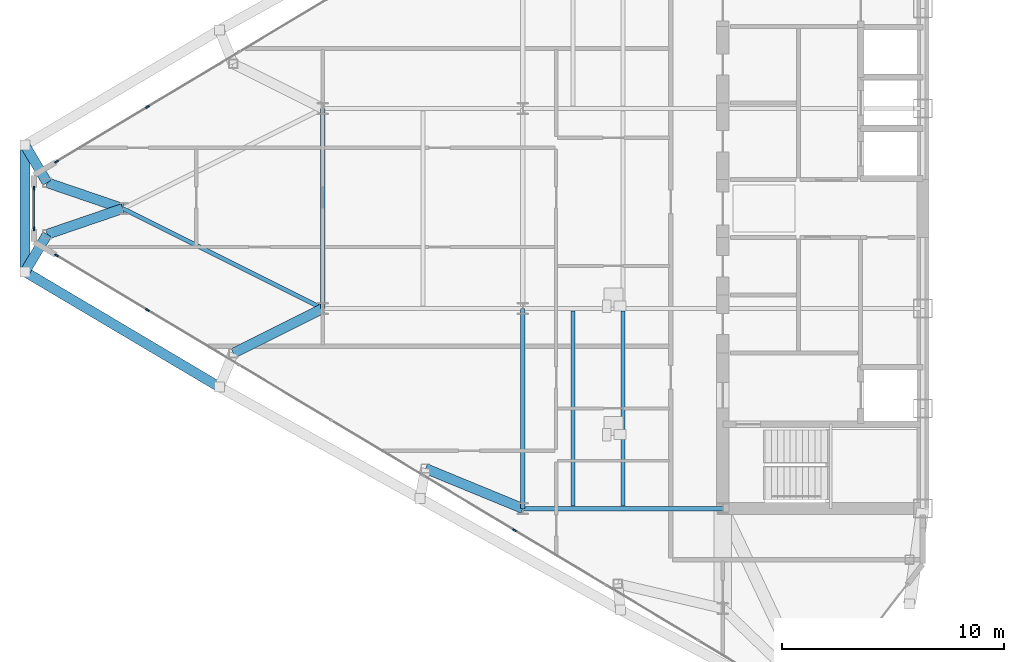
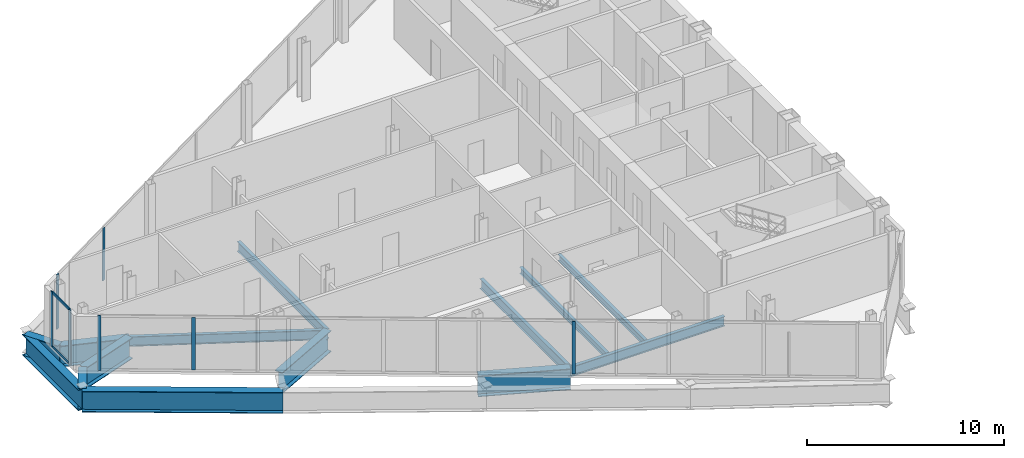
# One storey, part 7 of 29: 14 beams, 9 members, 3 elements without a shape of their own.
"""IFC4 building model written with IfcOpenShell, lengths in metres."""

from ifc_helpers import new_model, si_unit, direction, frame, origin, origin_2d, place, context, subcontext, project, spatial, rectangle, i_section, extrude, source, transform, mapped, material, layer, layer_set, material_profile, profile_set, type_object, type_shapes, element, aggregate, save


model = new_model("IFC4")

# Units and contexts
model_context = context("Model", 3, precision=1e-05, world=origin(), true_north=direction((0.0, 1.0)))
body_context = subcontext(model_context, "Body", "Model", "MODEL_VIEW")
ifc_project = project(units=[si_unit("LENGTHUNIT", "METRE"), si_unit("AREAUNIT", "SQUARE_METRE"), si_unit("VOLUMEUNIT", "CUBIC_METRE"), si_unit("PLANEANGLEUNIT", "RADIAN"), si_unit("MASSUNIT", "GRAM", prefix="KILO")], contexts=[model_context])

# Site, building, storey
site_placement = place(None, origin())
site = spatial("IfcSite", under=ifc_project, at=site_placement, CompositionType="ELEMENT")
building_placement = place(site_placement, origin())
building = spatial("IfcBuilding", under=site, at=building_placement, Name="Seokmaru Belvedere", CompositionType="ELEMENT")
storey_placement = place(building_placement, frame((0.0, 0.0, 195.89990234375)))
storey = spatial("IfcBuildingStorey", under=building, at=storey_placement, Name="L52", CompositionType="ELEMENT", Elevation=195.89990234375)

# Beams
ifc_material_1 = material(Name="Steel SM355 (355 MPa)", Category="steel")
ifc_material_profile_1 = material_profile(ifc_material_1, i_section(OverallWidth=0.199951171875, OverallDepth=0.60009765625, WebThickness=0.010986328125, FlangeThickness=0.01708984375, at=origin_2d()), Name="H-600x200x11x17")
ifc_profile_set_1 = profile_set([ifc_material_profile_1], Name="Steel SM355 (355 MPa)")
beam_type_1 = type_object("IfcBeamType", Name="Primary Floor Girder H-600", PredefinedType="BEAM", material=ifc_profile_set_1)
shared_shape_1 = source(origin(), body_context, "Body", "SweptSolid", [
    extrude(i_section(OverallWidth=0.199951171875, OverallDepth=0.60009765625, WebThickness=0.010986328125, FlangeThickness=0.01708984375, at=origin_2d()), origin(), (0.0, 0.0, 1.0), 9.0),
])
for number, where, z_axis, x_axis, name in (
    (1, (-45.5, -13.5, -0.52001953125), (0.0, 1.0, 0.0), (-1.0, 0.0, 0.0), "L52 W Interior Grid Girder 1"),
    (2, (-45.5, -13.5, -0.52001953125), (1.0, 0.0, 0.0), (0.0, 1.0, 0.0), "L52 W Wing Primary Girder 1"),
    (3, (-54.5, -4.5, -0.52001953125), (0.0, 1.0, 0.0), (-1.0, 0.0, 0.0), "L52 W Apex Frame Girder"),
):
    element("IfcBeam", number, at=place(storey_placement, frame(where, z_axis=z_axis, x_axis=x_axis)), inside=storey, type_object=beam_type_1, Name=name, PredefinedType="BEAM", context=body_context, shape_type="MappedRepresentation", body=[
        mapped(shared_shape_1, transform((0.0, 0.0, 0.0), scale=1.0)),
    ])
shared_shape_2 = source(origin(), body_context, "Body", "SweptSolid", [
    extrude(i_section(OverallWidth=0.199951171875, OverallDepth=0.60009765625, WebThickness=0.010986328125, FlangeThickness=0.01708984375, at=origin_2d()), origin(), (0.0, 0.0, 1.0), 10.062255859375),
])
type_shapes(beam_type_1, [shared_shape_1, shared_shape_2])
beam_1_placement = place(storey_placement, frame((-54.5, -4.5, -0.52001953125), z_axis=(-0.894427191, 0.4472135955, 0.0), x_axis=(-0.4472135955, -0.894427191, 0.0)))
element("IfcBeam", 4, at=beam_1_placement, inside=storey, type_object=beam_type_1, Name="L52 W Apex Converging Girder 1", PredefinedType="BEAM", context=body_context, shape_type="MappedRepresentation", body=[
    mapped(shared_shape_2, transform((0.0, 0.0, 0.0), scale=1.0)),
])
ifc_material_profile_2 = material_profile(ifc_material_1, i_section(OverallWidth=0.18505859375, OverallDepth=0.389892578125, WebThickness=0.008056640625, FlangeThickness=0.011962890625, at=origin_2d()), Name="H-390x185x8x12")
ifc_profile_set_2 = profile_set([ifc_material_profile_2], Name="Steel SM355 (355 MPa)")
beam_type_2 = type_object("IfcBeamType", Name="Secondary Floor Joist H-350", PredefinedType="JOIST", material=ifc_profile_set_2)
shared_shape_3 = source(origin(), body_context, "Body", "SweptSolid", [
    extrude(i_section(OverallWidth=0.18505859375, OverallDepth=0.389892578125, WebThickness=0.008056640625, FlangeThickness=0.011962890625, at=origin_2d()), origin(), (0.0, 0.0, 1.0), 8.7900390625),
])
type_shapes(beam_type_2, [shared_shape_3])
for number, where, z_axis, x_axis, name in (
    (5, (-43.25, -13.39501953125, -0.414794921875), (0.0, 1.0, 0.0), (-1.0, 0.0, 0.0), "L52 W Wing Inner Secondary Joist 1"),
    (6, (-41.0, -13.39501953125, -0.414794921875), (0.0, 1.0, 0.0), (-1.0, 0.0, 0.0), "L52 W Secondary Floor Joist 1"),
):
    element("IfcBeam", number, at=place(storey_placement, frame(where, z_axis=z_axis, x_axis=x_axis)), inside=storey, type_object=beam_type_2, Name=name, PredefinedType="JOIST", context=body_context, shape_type="MappedRepresentation", body=[
        mapped(shared_shape_3, transform((0.0, 0.0, 0.0), scale=1.0)),
    ])
ifc_material_2 = material(Name="Steel HSA650 (650 MPa)", Category="steel")
ifc_material_profile_3 = material_profile(ifc_material_2, i_section(OverallWidth=0.449951171875, OverallDepth=1.300048828125, WebThickness=0.02197265625, FlangeThickness=0.0380859375, at=origin_2d()), Name="BH-1300x450x22x38")
ifc_profile_set_3 = profile_set([ifc_material_profile_3], Name="Steel HSA650 (650 MPa)")
beam_type_3 = type_object("IfcBeamType", Name="Observatory Long-Span Roof Girder BH-1300", PredefinedType="BEAM", material=ifc_profile_set_3)
shared_shape_4 = source(origin(), body_context, "Body", "SweptSolid", [
    extrude(i_section(OverallWidth=0.449951171875, OverallDepth=1.300048828125, WebThickness=0.02197265625, FlangeThickness=0.0380859375, at=origin_2d()), origin(), (0.0, 0.0, 1.0), 10.16650390625),
])
beam_2_placement = place(storey_placement, frame((-59.154541015625, -8.031494140625, -0.869873046875), z_axis=(-0.860209996506, 0.509939959124, 0.0), x_axis=(-0.509939959124, -0.860209996506, 0.0)))
element("IfcBeam", 7, at=beam_2_placement, inside=storey, type_object=beam_type_3, Name="L52 W Faceted Flank Spandrel S-4", PredefinedType="BEAM", context=body_context, shape_type="MappedRepresentation", body=[
    mapped(shared_shape_4, transform((0.0, 0.0, 0.0), scale=1.0)),
])
shared_shape_5 = source(origin(), body_context, "Body", "SweptSolid", [
    extrude(i_section(OverallWidth=0.449951171875, OverallDepth=1.300048828125, WebThickness=0.02197265625, FlangeThickness=0.0380859375, at=origin_2d()), origin(), (0.0, 0.0, 1.0), 5.6943359375),
])
beam_3_placement = place(storey_placement, frame((-67.89990234375, -2.84716796875, -0.869873046875), z_axis=(0.0, 1.0, 0.0), x_axis=(-1.0, 0.0, 0.0)))
element("IfcBeam", 8, at=beam_3_placement, inside=storey, type_object=beam_type_3, Name="L52 W Faceted Apex Spandrel", PredefinedType="BEAM", context=body_context, shape_type="MappedRepresentation", body=[
    mapped(shared_shape_5, transform((0.0, 0.0, 0.0), scale=1.0)),
])
shared_shape_6 = source(origin(), body_context, "Body", "SweptSolid", [
    extrude(i_section(OverallWidth=0.449951171875, OverallDepth=1.300048828125, WebThickness=0.02197265625, FlangeThickness=0.0380859375, at=origin_2d()), origin(), (0.0, 0.0, 1.0), 1.9609375),
])
for number, where, z_axis, x_axis, name in (
    (9, (-67.89990234375, 2.84716796875, -0.869873046875), (0.509966194756, -0.860194443254, 0.0), (0.860194443254, 0.509966194756, 0.0), "L52 W Setback Transfer Girder 4"),
    (10, (-67.89990234375, -2.84716796875, -0.869873046875), (0.509966194756, 0.860194443254, 0.0), (-0.860194443254, 0.509966194756, 0.0), "L52 W Setback Transfer Girder 5"),
):
    element("IfcBeam", number, at=place(storey_placement, frame(where, z_axis=z_axis, x_axis=x_axis)), inside=storey, type_object=beam_type_3, Name=name, PredefinedType="BEAM", context=body_context, shape_type="MappedRepresentation", body=[
        mapped(shared_shape_6, transform((0.0, 0.0, 0.0), scale=1.0)),
    ])
shared_shape_7 = source(origin(), body_context, "Body", "SweptSolid", [
    extrude(i_section(OverallWidth=0.449951171875, OverallDepth=1.300048828125, WebThickness=0.02197265625, FlangeThickness=0.0380859375, at=origin_2d()), origin(), (0.0, 0.0, 1.0), 3.592529296875),
])
for number, where, z_axis, x_axis, name in (
    (11, (-66.89990234375, 1.160400390625, -0.869873046875), (0.946395973048, -0.323008764893, 0.0), (0.323008764893, 0.946395973048, 0.0), "L52 W Apex Sanity Tie Girder 4"),
    (12, (-66.89990234375, -1.160400390625, -0.869873046875), (0.946395973048, 0.323008764893, 0.0), (-0.323008764893, 0.946395973048, 0.0), "L52 W Apex Sanity Tie Girder 5"),
):
    element("IfcBeam", number, at=place(storey_placement, frame(where, z_axis=z_axis, x_axis=x_axis)), inside=storey, type_object=beam_type_3, Name=name, PredefinedType="BEAM", context=body_context, shape_type="MappedRepresentation", body=[
        mapped(shared_shape_7, transform((0.0, 0.0, 0.0), scale=1.0)),
    ])
shared_shape_8 = source(origin(), body_context, "Body", "SweptSolid", [
    extrude(i_section(OverallWidth=0.449951171875, OverallDepth=1.300048828125, WebThickness=0.02197265625, FlangeThickness=0.0380859375, at=origin_2d()), origin(), (0.0, 0.0, 1.0), 4.73583984375),
])
beam_4_placement = place(storey_placement, frame((-49.8798828125, -11.698974609375, -0.869873046875), z_axis=(0.924860562953, -0.380306375301, 0.0), x_axis=(0.380306375301, 0.924860562953, 0.0)))
element("IfcBeam", 13, at=beam_4_placement, inside=storey, type_object=beam_type_3, Name="L52 W Flank Setback Back-Span Girder S-2", PredefinedType="BEAM", context=body_context, shape_type="MappedRepresentation", body=[
    mapped(shared_shape_8, transform((0.0, 0.0, 0.0), scale=1.0)),
])
shared_shape_9 = source(origin(), body_context, "Body", "SweptSolid", [
    extrude(i_section(OverallWidth=0.449951171875, OverallDepth=1.300048828125, WebThickness=0.02197265625, FlangeThickness=0.0380859375, at=origin_2d()), origin(), (0.0, 0.0, 1.0), 4.5029296875),
])
type_shapes(beam_type_3, [shared_shape_4, shared_shape_5, shared_shape_6, shared_shape_7, shared_shape_8, shared_shape_9])
beam_5_placement = place(storey_placement, frame((-58.530029296875, -6.5087890625, -0.869873046875), z_axis=(0.894979532585, 0.446107202648, 0.0), x_axis=(-0.446107202648, 0.894979532585, 0.0)))
element("IfcBeam", 14, at=beam_5_placement, inside=storey, type_object=beam_type_3, Name="L52 W Flank Setback Back-Span Girder S-3", PredefinedType="BEAM", context=body_context, shape_type="MappedRepresentation", body=[
    mapped(shared_shape_9, transform((0.0, 0.0, 0.0), scale=1.0)),
])

# Curtain wall, member
ifc_material_3 = material(Name="Bronze Triple Insulating Glass", Category="glass")
ifc_layer = layer(ifc_material_3, 0.179931640625)
ifc_layer_set = layer_set([ifc_layer], Name="Bronze Triple Insulating Glass")
curtain_wall_type = type_object("IfcCurtainWallType", Name="High-Rise Wind-Corner Curtain Wall System CW-5", PredefinedType="NOTDEFINED", material=ifc_layer_set)
curtain_wall_1_placement = place(storey_placement, origin())
curtain_wall_1 = element("IfcCurtainWall", 15, at=curtain_wall_1_placement, inside=storey, type_object=curtain_wall_type, Name="L52 Curtain Wall WF3", PredefinedType="NOTDEFINED")
ifc_material_4 = material(Name="Anodised Bronze Aluminium", Category="aluminium")
ifc_material_profile_4 = material_profile(ifc_material_4, rectangle(XDim=0.06494140625, YDim=0.179931640625, at=origin_2d()), Name="CW-M-65x180")
ifc_profile_set_4 = profile_set([ifc_material_profile_4], Name="Anodised Bronze Aluminium")
member_type_1 = type_object("IfcMemberType", Name="Bronze Unitised Mullion 65x180", PredefinedType="MULLION", material=ifc_profile_set_4)
shared_shape_10 = source(origin(), body_context, "Body", "SweptSolid", [
    extrude(rectangle(XDim=0.06494140625, YDim=0.179931640625, at=origin_2d()), origin(), (0.0, 0.0, 1.0), 3.25),
])
member_1_placement = place(storey_placement, frame((-62.385498046875, 4.56884765625, 0.065185546875), z_axis=(0.0, 0.0, 1.0), x_axis=(0.514494909364, -0.85749343335, 0.0)))
member_1 = element("IfcMember", 16, at=member_1_placement, type_object=member_type_1, Name="CW:L52:WF3 Mullion 8", PredefinedType="MULLION", context=body_context, shape_type="MappedRepresentation", body=[
    mapped(shared_shape_10, transform((0.0, 0.0, 0.0), scale=1.0)),
])

# Curtain wall, members
curtain_wall_2_placement = place(storey_placement, origin())
curtain_wall_2 = element("IfcCurtainWall", 17, at=curtain_wall_2_placement, inside=storey, type_object=curtain_wall_type, Name="L52 Curtain Wall WF5", PredefinedType="NOTDEFINED")
member_2_placement = place(storey_placement, frame((-62.385498046875, -4.56884765625, 0.065185546875), z_axis=(0.0, 0.0, 1.0), x_axis=(0.514494909364, 0.85749343335, 0.0)))
member_2 = element("IfcMember", 18, at=member_2_placement, type_object=member_type_1, Name="CW:L52:WF5 Mullion 2", PredefinedType="MULLION", context=body_context, shape_type="MappedRepresentation", body=[
    mapped(shared_shape_10, transform((0.0, 0.0, 0.0), scale=1.0)),
])
member_3_placement = place(storey_placement, frame((-45.87158203125, -14.47705078125, 0.065185546875), z_axis=(0.0, 0.0, 1.0), x_axis=(0.514494909364, 0.85749343335, 0.0)))
member_3 = element("IfcMember", 19, at=member_3_placement, type_object=member_type_1, Name="CW:L52:WF5 Mullion 6", PredefinedType="MULLION", context=body_context, shape_type="MappedRepresentation", body=[
    mapped(shared_shape_10, transform((0.0, 0.0, 0.0), scale=1.0)),
])

# Member
shared_shape_11 = source(origin(), body_context, "Body", "SweptSolid", [
    extrude(rectangle(XDim=0.06494140625, YDim=0.179931640625, at=origin_2d()), origin(), (0.0, 0.0, 1.0), 3.380126953125),
])
type_shapes(member_type_1, [shared_shape_10, shared_shape_11])
member_4_placement = place(storey_placement, frame((-66.486083984375, 2.1083984375, 0.0), z_axis=(0.0, 0.0, 1.0), x_axis=(0.514494909364, -0.85749343335, 0.0)))
member_4 = element("IfcMember", 20, at=member_4_placement, type_object=member_type_1, Name="CW:L52:WF3 Mullion 9", PredefinedType="MULLION", context=body_context, shape_type="MappedRepresentation", body=[
    mapped(shared_shape_11, transform((0.0, 0.0, 0.0), scale=1.0)),
])

aggregate(curtain_wall_1, [member_1, member_4])

# Curtain wall, members
curtain_wall_3_placement = place(storey_placement, origin())
curtain_wall_3 = element("IfcCurtainWall", 21, at=curtain_wall_3_placement, inside=storey, type_object=curtain_wall_type, Name="L52 Curtain Wall WF4", PredefinedType="NOTDEFINED")
member_5_placement = place(storey_placement, frame((-67.5, 0.91748046875, 0.0), z_axis=(0.0, 0.0, 1.0), x_axis=(1.0, 0.0, 0.0)))
member_5 = element("IfcMember", 22, at=member_5_placement, type_object=member_type_1, Name="CW:L52:WF4 Mullion 1", PredefinedType="MULLION", context=body_context, shape_type="MappedRepresentation", body=[
    mapped(shared_shape_11, transform((0.0, 0.0, 0.0), scale=1.0)),
])
member_6_placement = place(storey_placement, frame((-67.5, -0.91748046875, 0.0), z_axis=(0.0, 0.0, 1.0), x_axis=(1.0, 0.0, 0.0)))
member_6 = element("IfcMember", 23, at=member_6_placement, type_object=member_type_1, Name="CW:L52:WF4 Mullion 2", PredefinedType="MULLION", context=body_context, shape_type="MappedRepresentation", body=[
    mapped(shared_shape_11, transform((0.0, 0.0, 0.0), scale=1.0)),
])

# Member
member_7_placement = place(storey_placement, frame((-66.486083984375, -2.1083984375, 0.0), z_axis=(0.0, 0.0, 1.0), x_axis=(0.514494909364, 0.85749343335, 0.0)))
member_7 = element("IfcMember", 24, at=member_7_placement, type_object=member_type_1, Name="CW:L52:WF5 Mullion 1", PredefinedType="MULLION", context=body_context, shape_type="MappedRepresentation", body=[
    mapped(shared_shape_11, transform((0.0, 0.0, 0.0), scale=1.0)),
])

aggregate(curtain_wall_2, [member_7, member_2, member_3])

ifc_material_profile_5 = material_profile(ifc_material_4, rectangle(XDim=0.06494140625, YDim=0.14990234375, at=origin_2d()), Name="CW-T-65x150")
ifc_profile_set_5 = profile_set([ifc_material_profile_5], Name="Anodised Bronze Aluminium")
member_type_2 = type_object("IfcMemberType", Name="Bronze Unitised Transom 65x150", PredefinedType="USERDEFINED", material=ifc_profile_set_5)
shared_shape_12 = source(origin(), body_context, "Body", "SweptSolid", [
    extrude(rectangle(XDim=0.06494140625, YDim=0.14990234375, at=origin_2d()), origin(), (0.0, 0.0, 1.0), 1.77001953125),
])
type_shapes(member_type_2, [shared_shape_12])
member_8_placement = place(storey_placement, frame((-67.5, 0.885009765625, 0.03271484375), z_axis=(0.0, -1.0, 0.0), x_axis=(1.0, 0.0, 0.0)))
member_8 = element("IfcMember", 25, at=member_8_placement, type_object=member_type_2, Name="CW:L52:WF4 Continuous Transom 1", ObjectType="TRANSOM", PredefinedType="USERDEFINED", context=body_context, shape_type="MappedRepresentation", body=[
    mapped(shared_shape_12, transform((0.0, 0.0, 0.0), scale=1.0)),
])

member_9_placement = place(storey_placement, frame((-67.5, 0.885009765625, 3.34765625), z_axis=(0.0, -1.0, 0.0), x_axis=(1.0, 0.0, 0.0)))
member_9 = element("IfcMember", 26, at=member_9_placement, type_object=member_type_2, Name="CW:L52:WF4 Continuous Transom 2", ObjectType="TRANSOM", PredefinedType="USERDEFINED", context=body_context, shape_type="MappedRepresentation", body=[
    mapped(shared_shape_12, transform((0.0, 0.0, 0.0), scale=1.0)),
])

aggregate(curtain_wall_3, [member_5, member_6, member_8, member_9])

save(model, "model.ifc")
